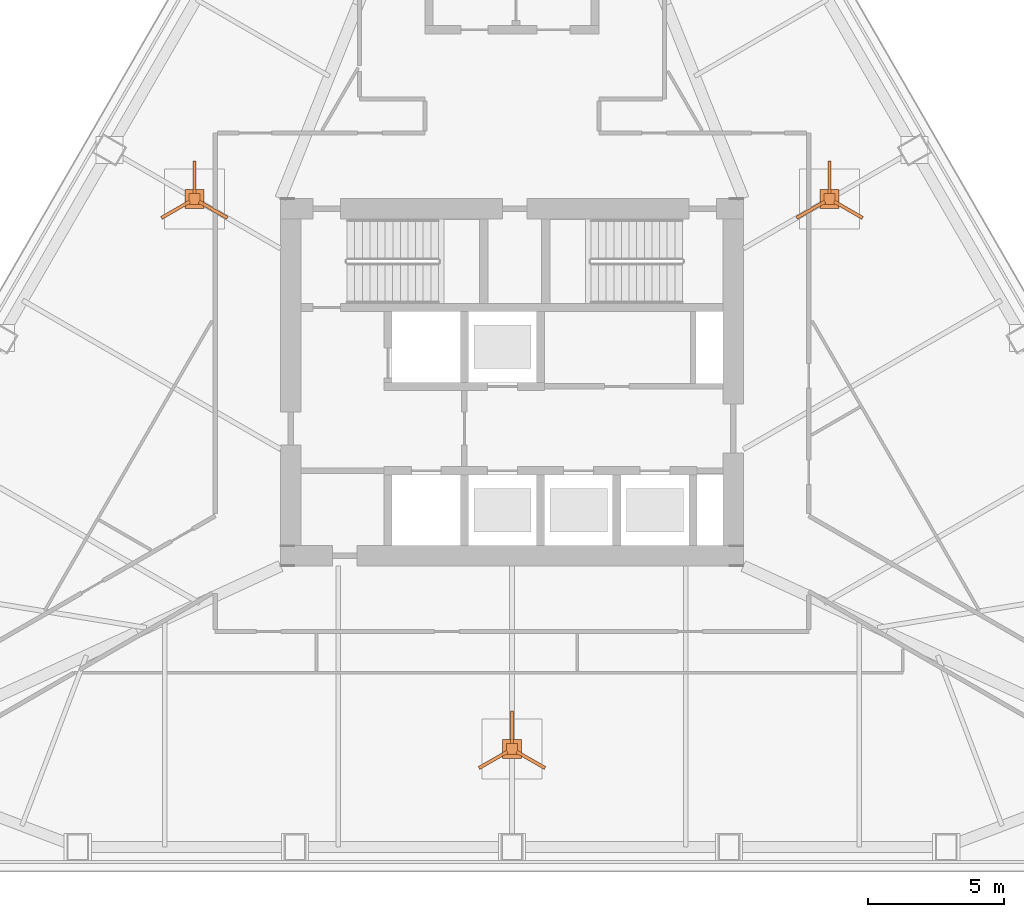
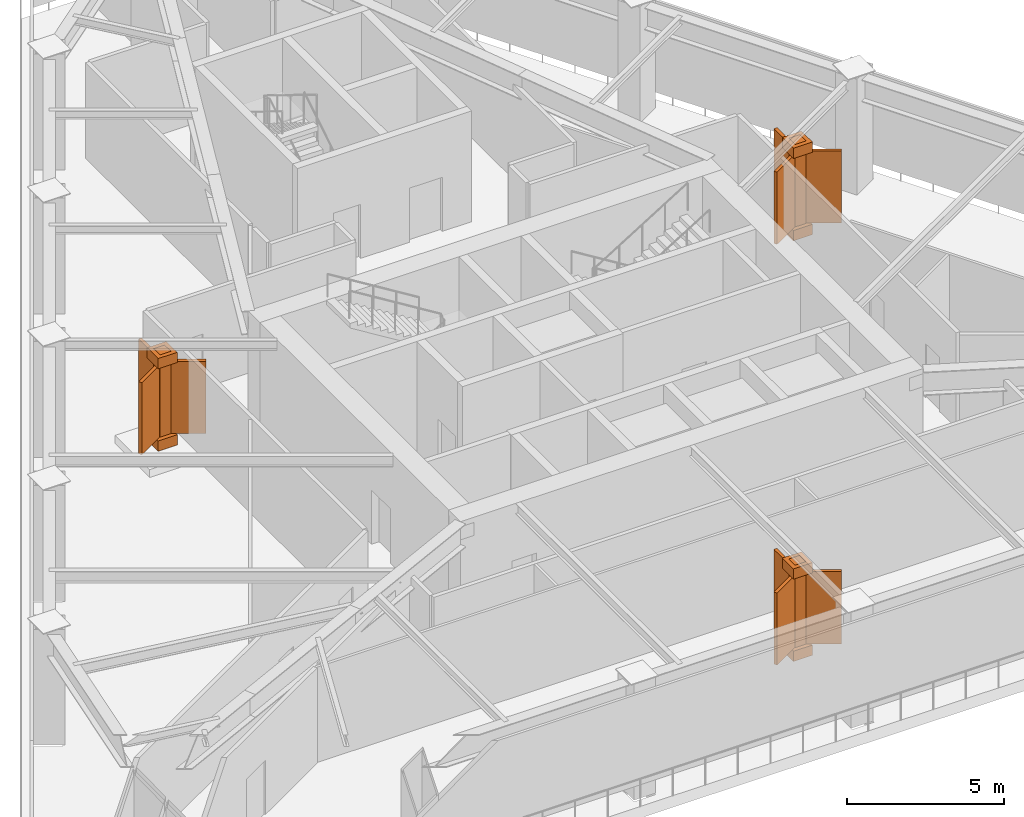
# One storey, part 9 of 9: 18 proxies.
"""IFC4 building model written with IfcOpenShell, lengths in metres."""

from ifc_helpers import new_model, si_unit, direction, frame, origin, origin_2d, place, context, subcontext, project, spatial, rectangle, extrude, material, layer, layer_set, type_object, element, save


model = new_model("IFC4")

# Units and contexts
model_context = context("Model", 3, precision=1e-05, world=origin(), true_north=direction((0.0, 1.0)))
body_context = subcontext(model_context, "Body", "Model", "MODEL_VIEW")
ifc_project = project(units=[si_unit("LENGTHUNIT", "METRE"), si_unit("AREAUNIT", "SQUARE_METRE"), si_unit("VOLUMEUNIT", "CUBIC_METRE"), si_unit("PLANEANGLEUNIT", "RADIAN"), si_unit("MASSUNIT", "GRAM", prefix="KILO")], contexts=[model_context])

# Site, building, storey
site_placement = place(None, origin())
site = spatial("IfcSite", under=ifc_project, at=site_placement, CompositionType="ELEMENT")
building_placement = place(site_placement, origin())
building = spatial("IfcBuilding", under=site, at=building_placement, Name="Firuza Gate Tower and Library", CompositionType="ELEMENT")
storey_placement = place(building_placement, frame((0.0, 0.0, 252.10009765625)))
storey = spatial("IfcBuildingStorey", under=building, at=storey_placement, Name="L59", CompositionType="ELEMENT", Elevation=252.10009765625)

# Proxies
ifc_material_1 = material(Name="Aluminium 6063-T6", Category="aluminium")
ifc_layer = layer(ifc_material_1, 0.1201171875)
ifc_layer_set = layer_set([ifc_layer], Name="Wind turbine blade")
building_element_proxy_type_1 = type_object("IfcBuildingElementProxyType", Name="Wind turbine blade", PredefinedType="USERDEFINED", material=ifc_layer_set)
for number, where, z_axis, x_axis, name in (
    (1, (75.0, 62.330078125, 0.69970703125), (0.0, 0.0, 1.0), (0.0, 1.0, 0.0), "WIND TURBINE 1 blade 1"),
    (2, (74.30712890625, 61.1298828125, 0.69970703125), (0.0, 0.0, 1.0), (-0.866025403784, -0.5, 0.0), "WIND TURBINE 1 blade 2"),
    (3, (75.69287109375, 61.1298828125, 0.69970703125), (0.0, 0.0, 1.0), (0.866025403784, -0.5, 0.0), "WIND TURBINE 1 blade 3"),
    (4, (86.665283203125, 82.534912109375, 0.69970703125), (0.0, 0.0, 1.0), (0.0, 1.0, 0.0), "WIND TURBINE 2 blade 1"),
    (5, (85.97265625, 81.3349609375, 0.69970703125), (0.0, 0.0, 1.0), (-0.866025403784, -0.5, 0.0), "WIND TURBINE 2 blade 2"),
    (6, (87.358154296875, 81.3349609375, 0.69970703125), (0.0, 0.0, 1.0), (0.866025403784, -0.5, 0.0), "WIND TURBINE 2 blade 3"),
    (7, (63.334716796875, 82.534912109375, 0.69970703125), (0.0, 0.0, 1.0), (0.0, 1.0, 0.0), "WIND TURBINE 3 blade 1"),
    (8, (62.641845703125, 81.3349609375, 0.69970703125), (0.0, 0.0, 1.0), (-0.866025403784, -0.5, 0.0), "WIND TURBINE 3 blade 2"),
    (9, (64.02734375, 81.3349609375, 0.69970703125), (0.0, 0.0, 1.0), (0.866025403784, -0.5, 0.0), "WIND TURBINE 3 blade 3"),
):
    element("IfcBuildingElementProxy", number, at=place(storey_placement, frame(where, z_axis=z_axis, x_axis=x_axis)), inside=storey, type_object=building_element_proxy_type_1, Name=name, ObjectType="WIND TURBINE", PredefinedType="USERDEFINED", context=body_context, shape_type="SweptSolid", body=[
        extrude(rectangle(XDim=1.199951171875, YDim=0.1201171875, at=origin_2d()), origin(), (0.0, 0.0, 1.0), 2.800048828125),
    ])
ifc_material_2 = material(Name="Steel S355", Category="steel")
building_element_proxy_type_2 = type_object("IfcBuildingElementProxyType", Name="Wind turbine housing", PredefinedType="USERDEFINED", material=ifc_material_2)
for number, where, z_axis, x_axis, name in (
    (10, (75.0, 61.530029296875, 0.300048828125), (0.0, 0.0, 1.0), (1.0, 0.0, 0.0), "WIND TURBINE 1 base housing"),
    (11, (75.0, 61.530029296875, 3.5), (0.0, 0.0, 1.0), (1.0, 0.0, 0.0), "WIND TURBINE 1 top housing"),
    (12, (86.665283203125, 81.735107421875, 0.300048828125), (0.0, 0.0, 1.0), (1.0, 0.0, 0.0), "WIND TURBINE 2 base housing"),
    (13, (86.665283203125, 81.735107421875, 3.5), (0.0, 0.0, 1.0), (1.0, 0.0, 0.0), "WIND TURBINE 2 top housing"),
    (14, (63.334716796875, 81.735107421875, 0.300048828125), (0.0, 0.0, 1.0), (1.0, 0.0, 0.0), "WIND TURBINE 3 base housing"),
    (15, (63.334716796875, 81.735107421875, 3.5), (0.0, 0.0, 1.0), (1.0, 0.0, 0.0), "WIND TURBINE 3 top housing"),
):
    element("IfcBuildingElementProxy", number, at=place(storey_placement, frame(where, z_axis=z_axis, x_axis=x_axis)), inside=storey, type_object=building_element_proxy_type_2, Name=name, ObjectType="WIND TURBINE", PredefinedType="USERDEFINED", context=body_context, shape_type="SweptSolid", body=[
        extrude(rectangle(XDim=0.699951171875, YDim=0.699951171875, at=origin_2d()), origin(), (0.0, 0.0, 1.0), 0.39990234375),
    ])
ifc_material_3 = material(Name="Steel S355", Category="steel")
building_element_proxy_type_3 = type_object("IfcBuildingElementProxyType", Name="Wind turbine shaft", PredefinedType="USERDEFINED", material=ifc_material_3)
for number, where, z_axis, x_axis, name in (
    (16, (75.0, 61.530029296875, 0.2998046875), (0.0, 0.0, 1.0), (1.0, 0.0, 0.0), "WIND TURBINE 1 shaft"),
    (17, (86.665283203125, 81.735107421875, 0.2998046875), (0.0, 0.0, 1.0), (1.0, 0.0, 0.0), "WIND TURBINE 2 shaft"),
    (18, (63.334716796875, 81.735107421875, 0.2998046875), (0.0, 0.0, 1.0), (1.0, 0.0, 0.0), "WIND TURBINE 3 shaft"),
):
    element("IfcBuildingElementProxy", number, at=place(storey_placement, frame(where, z_axis=z_axis, x_axis=x_axis)), inside=storey, type_object=building_element_proxy_type_3, Name=name, ObjectType="WIND TURBINE", PredefinedType="USERDEFINED", context=body_context, shape_type="SweptSolid", body=[
        extrude(rectangle(XDim=0.39990234375, YDim=0.39990234375, at=origin_2d()), origin(), (0.0, 0.0, 1.0), 3.60009765625),
    ])

save(model, "model.ifc")
